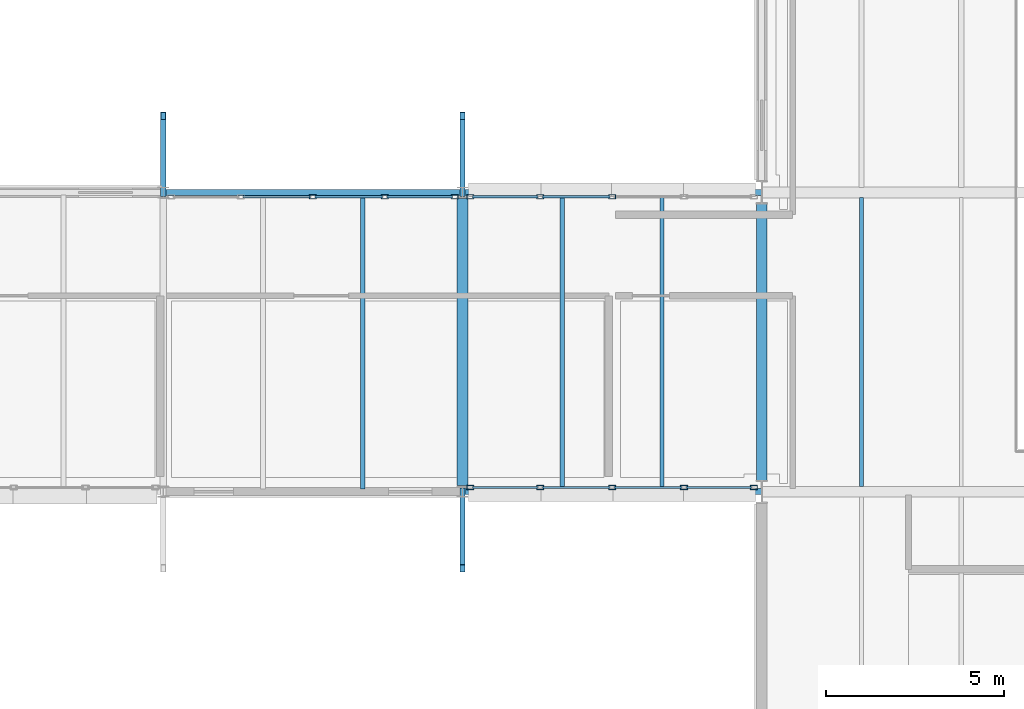
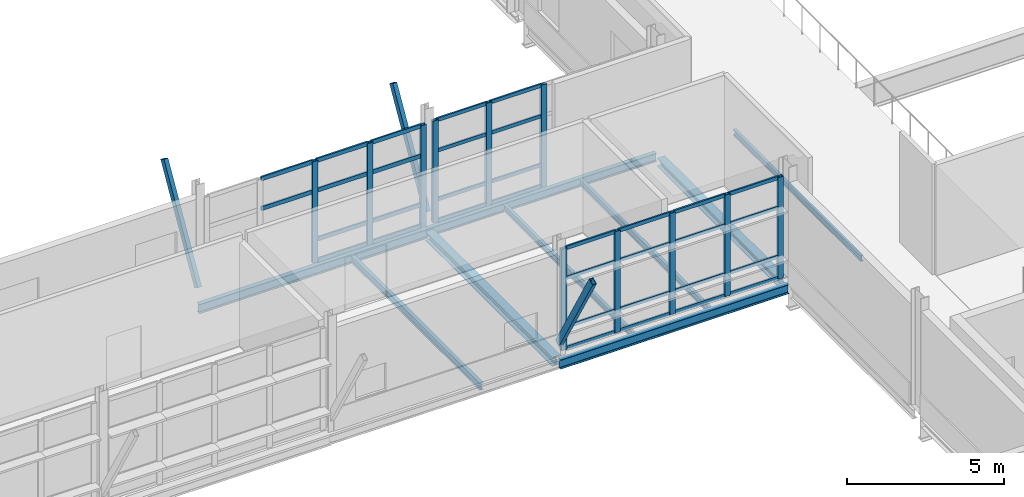
# One storey, part 30 of 129: 48 members, 9 beams, 3 elements without a shape of their own.
"""IFC4 building model written with IfcOpenShell, lengths in metres."""

from ifc_helpers import new_model, si_unit, direction, frame, origin, origin_2d, place, context, subcontext, project, spatial, hollow_rectangle, i_section, extrude, material, material_profile, profile_set, type_object, element, aggregate, save


model = new_model("IFC4")

# Units and contexts
model_context = context("Model", 3, precision=1e-05, world=origin(), true_north=direction((0.0, 1.0)))
body_context = subcontext(model_context, "Body", "Model", "MODEL_VIEW")
ifc_project = project(units=[si_unit("LENGTHUNIT", "METRE"), si_unit("AREAUNIT", "SQUARE_METRE"), si_unit("VOLUMEUNIT", "CUBIC_METRE"), si_unit("PLANEANGLEUNIT", "RADIAN"), si_unit("MASSUNIT", "GRAM", prefix="KILO")], contexts=[model_context])

# Site, building, storey
site_placement = place(None, origin())
site = spatial("IfcSite", under=ifc_project, at=site_placement, CompositionType="ELEMENT")
building_placement = place(site_placement, origin())
building = spatial("IfcBuilding", under=site, at=building_placement, Name="Mersafa Astral City Hall", CompositionType="ELEMENT")
storey_placement = place(building_placement, frame((0.0, 0.0, 5.39990234375)))
storey = spatial("IfcBuildingStorey", under=building, at=storey_placement, Name="L01", CompositionType="ELEMENT", Elevation=5.39990234375)

# Curtain wall, members
ifc_material_1 = material(Name="Anodised bronze aluminium framing", Category="aluminium")
curtain_wall_type_1 = type_object("IfcCurtainWallType", Name="ENV-CW-6", PredefinedType="USERDEFINED", material=ifc_material_1)
curtain_wall_1_placement = place(storey_placement, origin())
curtain_wall_1 = element("IfcCurtainWall", 1, at=curtain_wall_1_placement, inside=storey, type_object=curtain_wall_type_1, Name="L01 Unitised solar curtain wall 95", ObjectType="UNITISED CURTAIN WALL", PredefinedType="USERDEFINED")
ifc_material_profile_1 = material_profile(ifc_material_1, hollow_rectangle(XDim=0.1201171875, YDim=0.199951171875, WallThickness=0.008056640625, at=origin_2d()), Name="RHS 120x200x8")
ifc_profile_set_1 = profile_set([ifc_material_profile_1], Name="Anodised bronze aluminium framing")
member_type_1 = type_object("IfcMemberType", Name="ENV-CW-MUL-2", PredefinedType="MULLION", material=ifc_profile_set_1)
member_1_placement = place(storey_placement, frame((88.199951171875, 58.679931640625, -0.001953125), z_axis=(0.0, 0.0, 1.0), x_axis=(0.0, -1.0, 0.0)))
member_1 = element("IfcMember", 2, at=member_1_placement, type_object=member_type_1, Name="CW-6 mullion 3", PredefinedType="MULLION", context=body_context, shape_type="SweptSolid", body=[
    extrude(hollow_rectangle(XDim=0.1201171875, YDim=0.199951171875, WallThickness=0.008056640625, at=origin_2d()), origin(), (0.0, 0.0, 1.0), 3.968994140625),
])
member_2_placement = place(storey_placement, frame((86.180908203125, 58.679931640625, -0.001953125), z_axis=(0.0, 0.0, 1.0), x_axis=(0.0, -1.0, 0.0)))
member_2 = element("IfcMember", 3, at=member_2_placement, type_object=member_type_1, Name="CW-6 mullion 4", PredefinedType="MULLION", context=body_context, shape_type="SweptSolid", body=[
    extrude(hollow_rectangle(XDim=0.1201171875, YDim=0.199951171875, WallThickness=0.008056640625, at=origin_2d()), origin(), (0.0, 0.0, 1.0), 3.968994140625),
])
member_3_placement = place(storey_placement, frame((84.221923828125, 58.679931640625, -0.001953125), z_axis=(0.0, 0.0, 1.0), x_axis=(0.0, -1.0, 0.0)))
member_3 = element("IfcMember", 4, at=member_3_placement, type_object=member_type_1, Name="CW-6 mullion 5", PredefinedType="MULLION", context=body_context, shape_type="SweptSolid", body=[
    extrude(hollow_rectangle(XDim=0.1201171875, YDim=0.199951171875, WallThickness=0.008056640625, at=origin_2d()), origin(), (0.0, 0.0, 1.0), 3.968994140625),
])

curtain_wall_type_2 = type_object("IfcCurtainWallType", Name="ENV-CW-1", PredefinedType="USERDEFINED", material=ifc_material_1)
curtain_wall_2_placement = place(storey_placement, origin())
curtain_wall_2 = element("IfcCurtainWall", 5, at=curtain_wall_2_placement, inside=storey, type_object=curtain_wall_type_2, Name="L01 Unitised solar curtain wall 96", ObjectType="UNITISED CURTAIN WALL", PredefinedType="USERDEFINED")
member_4_placement = place(storey_placement, frame((83.778076171875, 58.679931640625, -0.001953125), z_axis=(0.0, 0.0, 1.0), x_axis=(0.0, -1.0, 0.0)))
member_4 = element("IfcMember", 6, at=member_4_placement, type_object=member_type_1, Name="CW-1 mullion 1", PredefinedType="MULLION", context=body_context, shape_type="SweptSolid", body=[
    extrude(hollow_rectangle(XDim=0.1201171875, YDim=0.199951171875, WallThickness=0.008056640625, at=origin_2d()), origin(), (0.0, 0.0, 1.0), 3.93896484375),
])
member_5_placement = place(storey_placement, frame((81.819091796875, 58.679931640625, -0.001953125), z_axis=(0.0, 0.0, 1.0), x_axis=(0.0, -1.0, 0.0)))
member_5 = element("IfcMember", 7, at=member_5_placement, type_object=member_type_1, Name="CW-1 mullion 2", PredefinedType="MULLION", context=body_context, shape_type="SweptSolid", body=[
    extrude(hollow_rectangle(XDim=0.1201171875, YDim=0.199951171875, WallThickness=0.008056640625, at=origin_2d()), origin(), (0.0, 0.0, 1.0), 3.93896484375),
])
member_6_placement = place(storey_placement, frame((79.800048828125, 58.679931640625, -0.001953125), z_axis=(0.0, 0.0, 1.0), x_axis=(0.0, -1.0, 0.0)))
member_6 = element("IfcMember", 8, at=member_6_placement, type_object=member_type_1, Name="CW-1 mullion 3", PredefinedType="MULLION", context=body_context, shape_type="SweptSolid", body=[
    extrude(hollow_rectangle(XDim=0.1201171875, YDim=0.199951171875, WallThickness=0.008056640625, at=origin_2d()), origin(), (0.0, 0.0, 1.0), 3.93896484375),
])

curtain_wall_type_3 = type_object("IfcCurtainWallType", Name="ENV-CW-2", PredefinedType="USERDEFINED", material=ifc_material_1)
curtain_wall_3_placement = place(storey_placement, origin())
curtain_wall_3 = element("IfcCurtainWall", 9, at=curtain_wall_3_placement, inside=storey, type_object=curtain_wall_type_3, Name="L01 Unitised solar curtain wall 103", ObjectType="UNITISED CURTAIN WALL", PredefinedType="USERDEFINED")
member_7_placement = place(storey_placement, frame((84.221923828125, 50.52001953125, -0.001953125), z_axis=(0.0, 0.0, 1.0), x_axis=(0.0, 1.0, 0.0)))
member_7 = element("IfcMember", 10, at=member_7_placement, type_object=member_type_1, Name="CW-2 mullion 1", PredefinedType="MULLION", context=body_context, shape_type="SweptSolid", body=[
    extrude(hollow_rectangle(XDim=0.1201171875, YDim=0.199951171875, WallThickness=0.008056640625, at=origin_2d()), origin(), (0.0, 0.0, 1.0), 3.93896484375),
])
member_8_placement = place(storey_placement, frame((86.180908203125, 50.52001953125, -0.001953125), z_axis=(0.0, 0.0, 1.0), x_axis=(0.0, 1.0, 0.0)))
member_8 = element("IfcMember", 11, at=member_8_placement, type_object=member_type_1, Name="CW-2 mullion 2", PredefinedType="MULLION", context=body_context, shape_type="SweptSolid", body=[
    extrude(hollow_rectangle(XDim=0.1201171875, YDim=0.199951171875, WallThickness=0.008056640625, at=origin_2d()), origin(), (0.0, 0.0, 1.0), 3.93896484375),
])
member_9_placement = place(storey_placement, frame((88.199951171875, 50.52001953125, -0.001953125), z_axis=(0.0, 0.0, 1.0), x_axis=(0.0, 1.0, 0.0)))
member_9 = element("IfcMember", 12, at=member_9_placement, type_object=member_type_1, Name="CW-2 mullion 3", PredefinedType="MULLION", context=body_context, shape_type="SweptSolid", body=[
    extrude(hollow_rectangle(XDim=0.1201171875, YDim=0.199951171875, WallThickness=0.008056640625, at=origin_2d()), origin(), (0.0, 0.0, 1.0), 3.93896484375),
])
member_10_placement = place(storey_placement, frame((90.218994140625, 50.52001953125, -0.001953125), z_axis=(0.0, 0.0, 1.0), x_axis=(0.0, 1.0, 0.0)))
member_10 = element("IfcMember", 13, at=member_10_placement, type_object=member_type_1, Name="CW-2 mullion 4", PredefinedType="MULLION", context=body_context, shape_type="SweptSolid", body=[
    extrude(hollow_rectangle(XDim=0.1201171875, YDim=0.199951171875, WallThickness=0.008056640625, at=origin_2d()), origin(), (0.0, 0.0, 1.0), 3.93896484375),
])
member_11_placement = place(storey_placement, frame((92.177978515625, 50.52001953125, -0.001953125), z_axis=(0.0, 0.0, 1.0), x_axis=(0.0, 1.0, 0.0)))
member_11 = element("IfcMember", 14, at=member_11_placement, type_object=member_type_1, Name="CW-2 mullion 5", PredefinedType="MULLION", context=body_context, shape_type="SweptSolid", body=[
    extrude(hollow_rectangle(XDim=0.1201171875, YDim=0.199951171875, WallThickness=0.008056640625, at=origin_2d()), origin(), (0.0, 0.0, 1.0), 3.93896484375),
])

# Member
ifc_material_profile_2 = material_profile(ifc_material_1, hollow_rectangle(XDim=0.06005859375, YDim=0.139892578125, WallThickness=0.00390625, at=origin_2d()), Name="RHS 60x140x4")
ifc_profile_set_2 = profile_set([ifc_material_profile_2], Name="Anodised bronze aluminium framing")
member_type_2 = type_object("IfcMemberType", Name="ENV-CW-TRN-1", PredefinedType="USERDEFINED", material=ifc_profile_set_2)
member_12_placement = place(storey_placement, frame((88.139892578125, 58.679931640625, 0.028076171875), z_axis=(-1.0, 0.0, 0.0), x_axis=(0.0, -1.0, 0.0)))
member_12 = element("IfcMember", 15, at=member_12_placement, type_object=member_type_2, Name="CW-6 transom 3.1", ObjectType="TRANSOM", PredefinedType="USERDEFINED", context=body_context, shape_type="SweptSolid", body=[
    extrude(hollow_rectangle(XDim=0.06005859375, YDim=0.139892578125, WallThickness=0.00390625, at=origin_2d()), origin(), (0.0, 0.0, 1.0), 1.89892578125),
])

member_13_placement = place(storey_placement, frame((88.139892578125, 58.679931640625, 0.85009765625), z_axis=(-1.0, 0.0, 0.0), x_axis=(0.0, -1.0, 0.0)))
member_13 = element("IfcMember", 16, at=member_13_placement, type_object=member_type_2, Name="CW-6 transom 3.2", ObjectType="TRANSOM", PredefinedType="USERDEFINED", context=body_context, shape_type="SweptSolid", body=[
    extrude(hollow_rectangle(XDim=0.06005859375, YDim=0.139892578125, WallThickness=0.00390625, at=origin_2d()), origin(), (0.0, 0.0, 1.0), 1.89892578125),
])

member_14_placement = place(storey_placement, frame((88.139892578125, 58.679931640625, 2.75), z_axis=(-1.0, 0.0, 0.0), x_axis=(0.0, -1.0, 0.0)))
member_14 = element("IfcMember", 17, at=member_14_placement, type_object=member_type_2, Name="CW-6 transom 3.3", ObjectType="TRANSOM", PredefinedType="USERDEFINED", context=body_context, shape_type="SweptSolid", body=[
    extrude(hollow_rectangle(XDim=0.06005859375, YDim=0.139892578125, WallThickness=0.00390625, at=origin_2d()), origin(), (0.0, 0.0, 1.0), 1.89892578125),
])

member_15_placement = place(storey_placement, frame((88.139892578125, 58.679931640625, 3.93701171875), z_axis=(-1.0, 0.0, 0.0), x_axis=(0.0, -1.0, 0.0)))
member_15 = element("IfcMember", 18, at=member_15_placement, type_object=member_type_2, Name="CW-6 transom 3.4", ObjectType="TRANSOM", PredefinedType="USERDEFINED", context=body_context, shape_type="SweptSolid", body=[
    extrude(hollow_rectangle(XDim=0.06005859375, YDim=0.139892578125, WallThickness=0.00390625, at=origin_2d()), origin(), (0.0, 0.0, 1.0), 1.89892578125),
])

member_16_placement = place(storey_placement, frame((86.12109375, 58.679931640625, 0.028076171875), z_axis=(-1.0, 0.0, 0.0), x_axis=(0.0, -1.0, 0.0)))
member_16 = element("IfcMember", 19, at=member_16_placement, type_object=member_type_2, Name="CW-6 transom 4.1", ObjectType="TRANSOM", PredefinedType="USERDEFINED", context=body_context, shape_type="SweptSolid", body=[
    extrude(hollow_rectangle(XDim=0.06005859375, YDim=0.139892578125, WallThickness=0.00390625, at=origin_2d()), origin(), (0.0, 0.0, 1.0), 1.839111328125),
])

member_17_placement = place(storey_placement, frame((86.12109375, 58.679931640625, 0.85009765625), z_axis=(-1.0, 0.0, 0.0), x_axis=(0.0, -1.0, 0.0)))
member_17 = element("IfcMember", 20, at=member_17_placement, type_object=member_type_2, Name="CW-6 transom 4.2", ObjectType="TRANSOM", PredefinedType="USERDEFINED", context=body_context, shape_type="SweptSolid", body=[
    extrude(hollow_rectangle(XDim=0.06005859375, YDim=0.139892578125, WallThickness=0.00390625, at=origin_2d()), origin(), (0.0, 0.0, 1.0), 1.839111328125),
])

member_18_placement = place(storey_placement, frame((86.12109375, 58.679931640625, 2.75), z_axis=(-1.0, 0.0, 0.0), x_axis=(0.0, -1.0, 0.0)))
member_18 = element("IfcMember", 21, at=member_18_placement, type_object=member_type_2, Name="CW-6 transom 4.3", ObjectType="TRANSOM", PredefinedType="USERDEFINED", context=body_context, shape_type="SweptSolid", body=[
    extrude(hollow_rectangle(XDim=0.06005859375, YDim=0.139892578125, WallThickness=0.00390625, at=origin_2d()), origin(), (0.0, 0.0, 1.0), 1.839111328125),
])

member_19_placement = place(storey_placement, frame((86.12109375, 58.679931640625, 3.93701171875), z_axis=(-1.0, 0.0, 0.0), x_axis=(0.0, -1.0, 0.0)))
member_19 = element("IfcMember", 22, at=member_19_placement, type_object=member_type_2, Name="CW-6 transom 4.4", ObjectType="TRANSOM", PredefinedType="USERDEFINED", context=body_context, shape_type="SweptSolid", body=[
    extrude(hollow_rectangle(XDim=0.06005859375, YDim=0.139892578125, WallThickness=0.00390625, at=origin_2d()), origin(), (0.0, 0.0, 1.0), 1.839111328125),
])

aggregate(curtain_wall_1, [member_1, member_2, member_3, member_12, member_13, member_14, member_15, member_16, member_17, member_18, member_19])

member_20_placement = place(storey_placement, frame((84.281982421875, 50.52001953125, 0.028076171875), z_axis=(1.0, 0.0, 0.0), x_axis=(0.0, 1.0, 0.0)))
member_20 = element("IfcMember", 23, at=member_20_placement, type_object=member_type_2, Name="CW-2 transom 1.1", ObjectType="TRANSOM", PredefinedType="USERDEFINED", context=body_context, shape_type="SweptSolid", body=[
    extrude(hollow_rectangle(XDim=0.06005859375, YDim=0.139892578125, WallThickness=0.00390625, at=origin_2d()), origin(), (0.0, 0.0, 1.0), 1.839111328125),
])

member_21_placement = place(storey_placement, frame((84.281982421875, 50.52001953125, 0.85009765625), z_axis=(1.0, 0.0, 0.0), x_axis=(0.0, 1.0, 0.0)))
member_21 = element("IfcMember", 24, at=member_21_placement, type_object=member_type_2, Name="CW-2 transom 1.2", ObjectType="TRANSOM", PredefinedType="USERDEFINED", context=body_context, shape_type="SweptSolid", body=[
    extrude(hollow_rectangle(XDim=0.06005859375, YDim=0.139892578125, WallThickness=0.00390625, at=origin_2d()), origin(), (0.0, 0.0, 1.0), 1.839111328125),
])

member_22_placement = place(storey_placement, frame((84.281982421875, 50.52001953125, 2.75), z_axis=(1.0, 0.0, 0.0), x_axis=(0.0, 1.0, 0.0)))
member_22 = element("IfcMember", 25, at=member_22_placement, type_object=member_type_2, Name="CW-2 transom 1.3", ObjectType="TRANSOM", PredefinedType="USERDEFINED", context=body_context, shape_type="SweptSolid", body=[
    extrude(hollow_rectangle(XDim=0.06005859375, YDim=0.139892578125, WallThickness=0.00390625, at=origin_2d()), origin(), (0.0, 0.0, 1.0), 1.839111328125),
])

member_23_placement = place(storey_placement, frame((84.281982421875, 50.52001953125, 3.906982421875), z_axis=(1.0, 0.0, 0.0), x_axis=(0.0, 1.0, 0.0)))
member_23 = element("IfcMember", 26, at=member_23_placement, type_object=member_type_2, Name="CW-2 transom 1.4", ObjectType="TRANSOM", PredefinedType="USERDEFINED", context=body_context, shape_type="SweptSolid", body=[
    extrude(hollow_rectangle(XDim=0.06005859375, YDim=0.139892578125, WallThickness=0.00390625, at=origin_2d()), origin(), (0.0, 0.0, 1.0), 1.839111328125),
])

member_24_placement = place(storey_placement, frame((86.240966796875, 50.52001953125, 0.028076171875), z_axis=(1.0, 0.0, 0.0), x_axis=(0.0, 1.0, 0.0)))
member_24 = element("IfcMember", 27, at=member_24_placement, type_object=member_type_2, Name="CW-2 transom 2.1", ObjectType="TRANSOM", PredefinedType="USERDEFINED", context=body_context, shape_type="SweptSolid", body=[
    extrude(hollow_rectangle(XDim=0.06005859375, YDim=0.139892578125, WallThickness=0.00390625, at=origin_2d()), origin(), (0.0, 0.0, 1.0), 1.89892578125),
])

member_25_placement = place(storey_placement, frame((86.240966796875, 50.52001953125, 0.85009765625), z_axis=(1.0, 0.0, 0.0), x_axis=(0.0, 1.0, 0.0)))
member_25 = element("IfcMember", 28, at=member_25_placement, type_object=member_type_2, Name="CW-2 transom 2.2", ObjectType="TRANSOM", PredefinedType="USERDEFINED", context=body_context, shape_type="SweptSolid", body=[
    extrude(hollow_rectangle(XDim=0.06005859375, YDim=0.139892578125, WallThickness=0.00390625, at=origin_2d()), origin(), (0.0, 0.0, 1.0), 1.89892578125),
])

member_26_placement = place(storey_placement, frame((86.240966796875, 50.52001953125, 2.75), z_axis=(1.0, 0.0, 0.0), x_axis=(0.0, 1.0, 0.0)))
member_26 = element("IfcMember", 29, at=member_26_placement, type_object=member_type_2, Name="CW-2 transom 2.3", ObjectType="TRANSOM", PredefinedType="USERDEFINED", context=body_context, shape_type="SweptSolid", body=[
    extrude(hollow_rectangle(XDim=0.06005859375, YDim=0.139892578125, WallThickness=0.00390625, at=origin_2d()), origin(), (0.0, 0.0, 1.0), 1.89892578125),
])

member_27_placement = place(storey_placement, frame((86.240966796875, 50.52001953125, 3.906982421875), z_axis=(1.0, 0.0, 0.0), x_axis=(0.0, 1.0, 0.0)))
member_27 = element("IfcMember", 30, at=member_27_placement, type_object=member_type_2, Name="CW-2 transom 2.4", ObjectType="TRANSOM", PredefinedType="USERDEFINED", context=body_context, shape_type="SweptSolid", body=[
    extrude(hollow_rectangle(XDim=0.06005859375, YDim=0.139892578125, WallThickness=0.00390625, at=origin_2d()), origin(), (0.0, 0.0, 1.0), 1.89892578125),
])

member_28_placement = place(storey_placement, frame((88.260009765625, 50.52001953125, 0.028076171875), z_axis=(1.0, 0.0, 0.0), x_axis=(0.0, 1.0, 0.0)))
member_28 = element("IfcMember", 31, at=member_28_placement, type_object=member_type_2, Name="CW-2 transom 3.1", ObjectType="TRANSOM", PredefinedType="USERDEFINED", context=body_context, shape_type="SweptSolid", body=[
    extrude(hollow_rectangle(XDim=0.06005859375, YDim=0.139892578125, WallThickness=0.00390625, at=origin_2d()), origin(), (0.0, 0.0, 1.0), 1.89892578125),
])

member_29_placement = place(storey_placement, frame((88.260009765625, 50.52001953125, 0.85009765625), z_axis=(1.0, 0.0, 0.0), x_axis=(0.0, 1.0, 0.0)))
member_29 = element("IfcMember", 32, at=member_29_placement, type_object=member_type_2, Name="CW-2 transom 3.2", ObjectType="TRANSOM", PredefinedType="USERDEFINED", context=body_context, shape_type="SweptSolid", body=[
    extrude(hollow_rectangle(XDim=0.06005859375, YDim=0.139892578125, WallThickness=0.00390625, at=origin_2d()), origin(), (0.0, 0.0, 1.0), 1.89892578125),
])

member_30_placement = place(storey_placement, frame((88.260009765625, 50.52001953125, 2.75), z_axis=(1.0, 0.0, 0.0), x_axis=(0.0, 1.0, 0.0)))
member_30 = element("IfcMember", 33, at=member_30_placement, type_object=member_type_2, Name="CW-2 transom 3.3", ObjectType="TRANSOM", PredefinedType="USERDEFINED", context=body_context, shape_type="SweptSolid", body=[
    extrude(hollow_rectangle(XDim=0.06005859375, YDim=0.139892578125, WallThickness=0.00390625, at=origin_2d()), origin(), (0.0, 0.0, 1.0), 1.89892578125),
])

member_31_placement = place(storey_placement, frame((88.260009765625, 50.52001953125, 3.906982421875), z_axis=(1.0, 0.0, 0.0), x_axis=(0.0, 1.0, 0.0)))
member_31 = element("IfcMember", 34, at=member_31_placement, type_object=member_type_2, Name="CW-2 transom 3.4", ObjectType="TRANSOM", PredefinedType="USERDEFINED", context=body_context, shape_type="SweptSolid", body=[
    extrude(hollow_rectangle(XDim=0.06005859375, YDim=0.139892578125, WallThickness=0.00390625, at=origin_2d()), origin(), (0.0, 0.0, 1.0), 1.89892578125),
])

member_32_placement = place(storey_placement, frame((90.279052734375, 50.52001953125, 0.028076171875), z_axis=(1.0, 0.0, 0.0), x_axis=(0.0, 1.0, 0.0)))
member_32 = element("IfcMember", 35, at=member_32_placement, type_object=member_type_2, Name="CW-2 transom 4.1", ObjectType="TRANSOM", PredefinedType="USERDEFINED", context=body_context, shape_type="SweptSolid", body=[
    extrude(hollow_rectangle(XDim=0.06005859375, YDim=0.139892578125, WallThickness=0.00390625, at=origin_2d()), origin(), (0.0, 0.0, 1.0), 1.8388671875),
])

member_33_placement = place(storey_placement, frame((90.279052734375, 50.52001953125, 0.85009765625), z_axis=(1.0, 0.0, 0.0), x_axis=(0.0, 1.0, 0.0)))
member_33 = element("IfcMember", 36, at=member_33_placement, type_object=member_type_2, Name="CW-2 transom 4.2", ObjectType="TRANSOM", PredefinedType="USERDEFINED", context=body_context, shape_type="SweptSolid", body=[
    extrude(hollow_rectangle(XDim=0.06005859375, YDim=0.139892578125, WallThickness=0.00390625, at=origin_2d()), origin(), (0.0, 0.0, 1.0), 1.8388671875),
])

member_34_placement = place(storey_placement, frame((90.279052734375, 50.52001953125, 2.75), z_axis=(1.0, 0.0, 0.0), x_axis=(0.0, 1.0, 0.0)))
member_34 = element("IfcMember", 37, at=member_34_placement, type_object=member_type_2, Name="CW-2 transom 4.3", ObjectType="TRANSOM", PredefinedType="USERDEFINED", context=body_context, shape_type="SweptSolid", body=[
    extrude(hollow_rectangle(XDim=0.06005859375, YDim=0.139892578125, WallThickness=0.00390625, at=origin_2d()), origin(), (0.0, 0.0, 1.0), 1.8388671875),
])

member_35_placement = place(storey_placement, frame((90.279052734375, 50.52001953125, 3.906982421875), z_axis=(1.0, 0.0, 0.0), x_axis=(0.0, 1.0, 0.0)))
member_35 = element("IfcMember", 38, at=member_35_placement, type_object=member_type_2, Name="CW-2 transom 4.4", ObjectType="TRANSOM", PredefinedType="USERDEFINED", context=body_context, shape_type="SweptSolid", body=[
    extrude(hollow_rectangle(XDim=0.06005859375, YDim=0.139892578125, WallThickness=0.00390625, at=origin_2d()), origin(), (0.0, 0.0, 1.0), 1.8388671875),
])

aggregate(curtain_wall_3, [member_7, member_8, member_9, member_10, member_11, member_20, member_21, member_22, member_23, member_24, member_25, member_26, member_27, member_28, member_29, member_30, member_31, member_32, member_33, member_34, member_35])

ifc_material_profile_3 = material_profile(ifc_material_1, hollow_rectangle(XDim=0.06005859375, YDim=0.159912109375, WallThickness=0.00390625, at=origin_2d()), Name="RHS 60x160x4")
ifc_profile_set_3 = profile_set([ifc_material_profile_3], Name="Anodised bronze aluminium framing")
member_type_3 = type_object("IfcMemberType", Name="ENV-CW-TRN-2", PredefinedType="USERDEFINED", material=ifc_profile_set_3)
member_36_placement = place(storey_placement, frame((83.718017578125, 58.679931640625, 0.028076171875), z_axis=(-1.0, 0.0, 0.0), x_axis=(0.0, -1.0, 0.0)))
member_36 = element("IfcMember", 39, at=member_36_placement, type_object=member_type_3, Name="CW-1 transom 1.1", ObjectType="TRANSOM", PredefinedType="USERDEFINED", context=body_context, shape_type="SweptSolid", body=[
    extrude(hollow_rectangle(XDim=0.06005859375, YDim=0.159912109375, WallThickness=0.00390625, at=origin_2d()), origin(), (0.0, 0.0, 1.0), 1.839111328125),
])

member_37_placement = place(storey_placement, frame((83.718017578125, 58.679931640625, 0.85009765625), z_axis=(-1.0, 0.0, 0.0), x_axis=(0.0, -1.0, 0.0)))
member_37 = element("IfcMember", 40, at=member_37_placement, type_object=member_type_3, Name="CW-1 transom 1.2", ObjectType="TRANSOM", PredefinedType="USERDEFINED", context=body_context, shape_type="SweptSolid", body=[
    extrude(hollow_rectangle(XDim=0.06005859375, YDim=0.159912109375, WallThickness=0.00390625, at=origin_2d()), origin(), (0.0, 0.0, 1.0), 1.839111328125),
])

member_38_placement = place(storey_placement, frame((83.718017578125, 58.679931640625, 2.75), z_axis=(-1.0, 0.0, 0.0), x_axis=(0.0, -1.0, 0.0)))
member_38 = element("IfcMember", 41, at=member_38_placement, type_object=member_type_3, Name="CW-1 transom 1.3", ObjectType="TRANSOM", PredefinedType="USERDEFINED", context=body_context, shape_type="SweptSolid", body=[
    extrude(hollow_rectangle(XDim=0.06005859375, YDim=0.159912109375, WallThickness=0.00390625, at=origin_2d()), origin(), (0.0, 0.0, 1.0), 1.839111328125),
])

member_39_placement = place(storey_placement, frame((83.718017578125, 58.679931640625, 3.906982421875), z_axis=(-1.0, 0.0, 0.0), x_axis=(0.0, -1.0, 0.0)))
member_39 = element("IfcMember", 42, at=member_39_placement, type_object=member_type_3, Name="CW-1 transom 1.4", ObjectType="TRANSOM", PredefinedType="USERDEFINED", context=body_context, shape_type="SweptSolid", body=[
    extrude(hollow_rectangle(XDim=0.06005859375, YDim=0.159912109375, WallThickness=0.00390625, at=origin_2d()), origin(), (0.0, 0.0, 1.0), 1.839111328125),
])

member_40_placement = place(storey_placement, frame((81.759033203125, 58.679931640625, 0.028076171875), z_axis=(-1.0, 0.0, 0.0), x_axis=(0.0, -1.0, 0.0)))
member_40 = element("IfcMember", 43, at=member_40_placement, type_object=member_type_3, Name="CW-1 transom 2.1", ObjectType="TRANSOM", PredefinedType="USERDEFINED", context=body_context, shape_type="SweptSolid", body=[
    extrude(hollow_rectangle(XDim=0.06005859375, YDim=0.159912109375, WallThickness=0.00390625, at=origin_2d()), origin(), (0.0, 0.0, 1.0), 1.89892578125),
])

member_41_placement = place(storey_placement, frame((81.759033203125, 58.679931640625, 0.85009765625), z_axis=(-1.0, 0.0, 0.0), x_axis=(0.0, -1.0, 0.0)))
member_41 = element("IfcMember", 44, at=member_41_placement, type_object=member_type_3, Name="CW-1 transom 2.2", ObjectType="TRANSOM", PredefinedType="USERDEFINED", context=body_context, shape_type="SweptSolid", body=[
    extrude(hollow_rectangle(XDim=0.06005859375, YDim=0.159912109375, WallThickness=0.00390625, at=origin_2d()), origin(), (0.0, 0.0, 1.0), 1.89892578125),
])

member_42_placement = place(storey_placement, frame((81.759033203125, 58.679931640625, 2.75), z_axis=(-1.0, 0.0, 0.0), x_axis=(0.0, -1.0, 0.0)))
member_42 = element("IfcMember", 45, at=member_42_placement, type_object=member_type_3, Name="CW-1 transom 2.3", ObjectType="TRANSOM", PredefinedType="USERDEFINED", context=body_context, shape_type="SweptSolid", body=[
    extrude(hollow_rectangle(XDim=0.06005859375, YDim=0.159912109375, WallThickness=0.00390625, at=origin_2d()), origin(), (0.0, 0.0, 1.0), 1.89892578125),
])

member_43_placement = place(storey_placement, frame((81.759033203125, 58.679931640625, 3.906982421875), z_axis=(-1.0, 0.0, 0.0), x_axis=(0.0, -1.0, 0.0)))
member_43 = element("IfcMember", 46, at=member_43_placement, type_object=member_type_3, Name="CW-1 transom 2.4", ObjectType="TRANSOM", PredefinedType="USERDEFINED", context=body_context, shape_type="SweptSolid", body=[
    extrude(hollow_rectangle(XDim=0.06005859375, YDim=0.159912109375, WallThickness=0.00390625, at=origin_2d()), origin(), (0.0, 0.0, 1.0), 1.89892578125),
])

member_44_placement = place(storey_placement, frame((79.739990234375, 58.679931640625, 2.75), z_axis=(-1.0, 0.0, 0.0), x_axis=(0.0, -1.0, 0.0)))
member_44 = element("IfcMember", 47, at=member_44_placement, type_object=member_type_3, Name="CW-1 transom 3.3", ObjectType="TRANSOM", PredefinedType="USERDEFINED", context=body_context, shape_type="SweptSolid", body=[
    extrude(hollow_rectangle(XDim=0.06005859375, YDim=0.159912109375, WallThickness=0.00390625, at=origin_2d()), origin(), (0.0, 0.0, 1.0), 1.89892578125),
])

member_45_placement = place(storey_placement, frame((79.739990234375, 58.679931640625, 3.906982421875), z_axis=(-1.0, 0.0, 0.0), x_axis=(0.0, -1.0, 0.0)))
member_45 = element("IfcMember", 48, at=member_45_placement, type_object=member_type_3, Name="CW-1 transom 3.4", ObjectType="TRANSOM", PredefinedType="USERDEFINED", context=body_context, shape_type="SweptSolid", body=[
    extrude(hollow_rectangle(XDim=0.06005859375, YDim=0.159912109375, WallThickness=0.00390625, at=origin_2d()), origin(), (0.0, 0.0, 1.0), 1.89892578125),
])

aggregate(curtain_wall_2, [member_4, member_5, member_6, member_36, member_37, member_38, member_39, member_40, member_41, member_42, member_43, member_44, member_45])

# Beams
ifc_material_2 = material(Name="Steel S355", Category="steel")
ifc_material_profile_4 = material_profile(ifc_material_2, i_section(OverallWidth=0.300048828125, OverallDepth=0.31005859375, WebThickness=0.009033203125, FlangeThickness=0.015380859375, FilletRadius=0.027099609375, at=origin_2d()), Name="HEA 320")
ifc_profile_set_4 = profile_set([ifc_material_profile_4], Name="Steel S355")
beam_type_1 = type_object("IfcBeamType", Name="STR-BM-HEA320", PredefinedType="BEAM", material=ifc_profile_set_4)
beam_1_placement = place(storey_placement, frame((92.39990234375, 50.719970703125, -0.3798828125), z_axis=(0.0, 1.0, 0.0), x_axis=(-1.0, 0.0, 0.0)))
element("IfcBeam", 49, at=beam_1_placement, inside=storey, type_object=beam_type_1, Name="L01 Primary girder Y 11-6", PredefinedType="BEAM", context=body_context, shape_type="SweptSolid", body=[
    extrude(i_section(OverallWidth=0.300048828125, OverallDepth=0.31005859375, WebThickness=0.009033203125, FlangeThickness=0.015380859375, FilletRadius=0.027099609375, at=origin_2d()), origin(), (0.0, 0.0, 1.0), 7.760009765625),
])
ifc_material_profile_5 = material_profile(ifc_material_2, i_section(OverallWidth=0.300048828125, OverallDepth=0.35009765625, WebThickness=0.010009765625, FlangeThickness=0.017578125, FilletRadius=0.027099609375, at=origin_2d()), Name="HEA 360")
ifc_profile_set_5 = profile_set([ifc_material_profile_5], Name="Steel S355")
beam_type_2 = type_object("IfcBeamType", Name="STR-BM-HEA360", PredefinedType="BEAM", material=ifc_profile_set_5)
beam_2_placement = place(storey_placement, frame((84.0, 50.574951171875, -0.39990234375), z_axis=(0.0, 1.0, 0.0), x_axis=(-1.0, 0.0, 0.0)))
element("IfcBeam", 50, at=beam_2_placement, inside=storey, type_object=beam_type_2, Name="L01 Primary girder Y 10-6", PredefinedType="BEAM", context=body_context, shape_type="SweptSolid", body=[
    extrude(i_section(OverallWidth=0.300048828125, OverallDepth=0.35009765625, WebThickness=0.010009765625, FlangeThickness=0.017578125, FilletRadius=0.027099609375, at=origin_2d()), origin(), (0.0, 0.0, 1.0), 8.06005859375),
])
ifc_material_profile_6 = material_profile(ifc_material_2, i_section(OverallWidth=0.110107421875, OverallDepth=0.219970703125, WebThickness=0.005859375, FlangeThickness=0.00927734375, FilletRadius=0.011962890625, at=origin_2d()), Name="IPE 220")
ifc_profile_set_6 = profile_set([ifc_material_profile_6], Name="Steel S355")
beam_type_3 = type_object("IfcBeamType", Name="STR-BM-JOIST-IPE220", PredefinedType="JOIST", material=ifc_profile_set_6)
beam_3_placement = place(storey_placement, frame((95.199951171875, 50.544921875, -0.3349609375), z_axis=(0.0, 1.0, 0.0), x_axis=(-1.0, 0.0, 0.0)))
element("IfcBeam", 51, at=beam_3_placement, inside=storey, type_object=beam_type_3, Name="L01 Composite secondary floor joist 274", PredefinedType="JOIST", context=body_context, shape_type="SweptSolid", body=[
    extrude(i_section(OverallWidth=0.110107421875, OverallDepth=0.219970703125, WebThickness=0.005859375, FlangeThickness=0.00927734375, FilletRadius=0.011962890625, at=origin_2d()), origin(), (0.0, 0.0, 1.0), 8.110107421875),
])
ifc_material_profile_7 = material_profile(ifc_material_2, i_section(OverallWidth=0.1201171875, OverallDepth=0.239990234375, WebThickness=0.006103515625, FlangeThickness=0.009765625, FilletRadius=0.014892578125, at=origin_2d()), Name="IPE 240")
ifc_profile_set_7 = profile_set([ifc_material_profile_7], Name="Steel S355")
beam_type_4 = type_object("IfcBeamType", Name="STR-BM-JOIST-IPE240", PredefinedType="JOIST", material=ifc_profile_set_7)
for number, where, z_axis, x_axis, name in (
    (52, (86.800048828125, 50.47998046875, -0.344970703125), (0.0, 1.0, 0.0), (-1.0, 0.0, 0.0), "L01 Composite secondary floor joist 264"),
    (53, (89.60009765625, 50.47998046875, -0.344970703125), (0.0, 1.0, 0.0), (-1.0, 0.0, 0.0), "L01 Composite secondary floor joist 265"),
):
    element("IfcBeam", number, at=place(storey_placement, frame(where, z_axis=z_axis, x_axis=x_axis)), inside=storey, type_object=beam_type_4, Name=name, PredefinedType="JOIST", context=body_context, shape_type="SweptSolid", body=[
        extrude(i_section(OverallWidth=0.1201171875, OverallDepth=0.239990234375, WebThickness=0.006103515625, FlangeThickness=0.009765625, FilletRadius=0.014892578125, at=origin_2d()), origin(), (0.0, 0.0, 1.0), 8.2451171875),
    ])
ifc_material_profile_8 = material_profile(ifc_material_2, i_section(OverallWidth=0.135009765625, OverallDepth=0.27001953125, WebThickness=0.006591796875, FlangeThickness=0.01025390625, FilletRadius=0.014892578125, at=origin_2d()), Name="IPE 270")
ifc_profile_set_8 = profile_set([ifc_material_profile_8], Name="Steel S355")
beam_type_5 = type_object("IfcBeamType", Name="STR-BM-JOIST-IPE270", PredefinedType="JOIST", material=ifc_profile_set_8)
beam_4_placement = place(storey_placement, frame((81.199951171875, 50.47509765625, -0.35986328125), z_axis=(0.0, 1.0, 0.0), x_axis=(-1.0, 0.0, 0.0)))
element("IfcBeam", 54, at=beam_4_placement, inside=storey, type_object=beam_type_5, Name="L01 Composite secondary floor joist 259", PredefinedType="JOIST", context=body_context, shape_type="SweptSolid", body=[
    extrude(i_section(OverallWidth=0.135009765625, OverallDepth=0.27001953125, WebThickness=0.006591796875, FlangeThickness=0.01025390625, FilletRadius=0.014892578125, at=origin_2d()), origin(), (0.0, 0.0, 1.0), 8.244873046875),
])
ifc_material_profile_9 = material_profile(ifc_material_2, i_section(OverallWidth=0.159912109375, OverallDepth=0.330078125, WebThickness=0.007568359375, FlangeThickness=0.011474609375, FilletRadius=0.01806640625, at=origin_2d()), Name="IPE 330")
ifc_profile_set_9 = profile_set([ifc_material_profile_9], Name="Steel S355")
beam_type_6 = type_object("IfcBeamType", Name="STR-BM-SPANDREL-IPE330", PredefinedType="SPANDREL", material=ifc_profile_set_9)
beam_5_placement = place(storey_placement, frame((84.0029296875, 58.800048828125, -0.389892578125), z_axis=(1.0, 0.0, 0.0), x_axis=(0.0, 1.0, 0.0)))
element("IfcBeam", 55, at=beam_5_placement, inside=storey, type_object=beam_type_6, Name="L01 Primary girder X 10-7", PredefinedType="SPANDREL", context=body_context, shape_type="SweptSolid", body=[
    extrude(i_section(OverallWidth=0.159912109375, OverallDepth=0.330078125, WebThickness=0.007568359375, FlangeThickness=0.011474609375, FilletRadius=0.01806640625, at=origin_2d()), origin(), (0.0, 0.0, 1.0), 8.39404296875),
])
ifc_material_profile_10 = material_profile(ifc_material_2, i_section(OverallWidth=0.169921875, OverallDepth=0.360107421875, WebThickness=0.008056640625, FlangeThickness=0.0126953125, FilletRadius=0.01806640625, at=origin_2d()), Name="IPE 360")
ifc_profile_set_10 = profile_set([ifc_material_profile_10], Name="Steel S355")
beam_type_7 = type_object("IfcBeamType", Name="STR-BM-SPANDREL-IPE360", PredefinedType="SPANDREL", material=ifc_profile_set_10)
for number, where, z_axis, x_axis, name in (
    (56, (84.0029296875, 50.39990234375, -0.40478515625), (1.0, 0.0, 0.0), (0.0, 1.0, 0.0), "L01 Primary girder X 10-6"),
    (57, (75.60302734375, 58.800048828125, -0.40478515625), (1.0, 0.0, 0.0), (0.0, 1.0, 0.0), "L01 Primary girder X 9-7"),
):
    element("IfcBeam", number, at=place(storey_placement, frame(where, z_axis=z_axis, x_axis=x_axis)), inside=storey, type_object=beam_type_7, Name=name, PredefinedType="SPANDREL", context=body_context, shape_type="SweptSolid", body=[
        extrude(i_section(OverallWidth=0.169921875, OverallDepth=0.360107421875, WebThickness=0.008056640625, FlangeThickness=0.0126953125, FilletRadius=0.01806640625, at=origin_2d()), origin(), (0.0, 0.0, 1.0), 8.39404296875),
    ])

# Members
ifc_material_profile_11 = material_profile(ifc_material_2, hollow_rectangle(XDim=0.14990234375, YDim=0.25, WallThickness=0.010009765625, at=origin_2d()), Name="RHS 150x250x10")
ifc_profile_set_11 = profile_set([ifc_material_profile_11], Name="Steel S355")
member_type_4 = type_object("IfcMemberType", Name="STR-MBR-STRUT-RHS150X250", PredefinedType="BRACE", material=ifc_profile_set_11)
for number, where, z_axis, x_axis, name in (
    (58, (75.60009765625, 58.800048828125, 0.400146484375), (0.0, 0.503423090929, 0.864040040461), (-1.0, 0.0, 0.0), "L01 Raked cosmic eave strut ROOF-T3-V4S N-9"),
    (59, (84.0, 50.39990234375, 0.400146484375), (0.0, -0.503423090929, 0.864040040461), (1.0, 0.0, 0.0), "L01 Raked cosmic eave strut ROOF-T3-V4S S-10"),
    (60, (84.0, 58.800048828125, 0.400146484375), (0.0, 0.503423090929, 0.864040040461), (-1.0, 0.0, 0.0), "L01 Raked cosmic eave strut ROOF-T3-V4S N-10"),
):
    element("IfcMember", number, at=place(storey_placement, frame(where, z_axis=z_axis, x_axis=x_axis)), inside=storey, type_object=member_type_4, Name=name, PredefinedType="BRACE", context=body_context, shape_type="SweptSolid", body=[
        extrude(hollow_rectangle(XDim=0.14990234375, YDim=0.25, WallThickness=0.010009765625, at=origin_2d()), origin(), (0.0, 0.0, 1.0), 4.2705078125),
    ])

save(model, "model.ifc")
